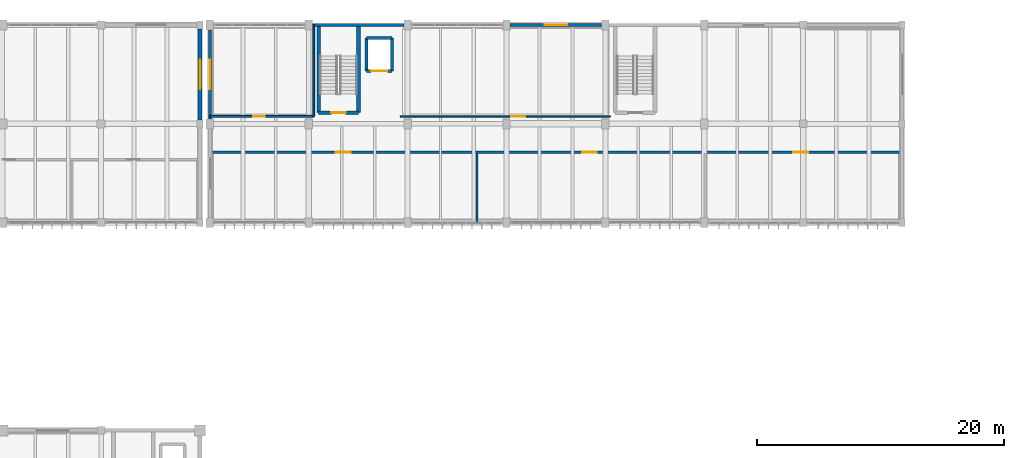
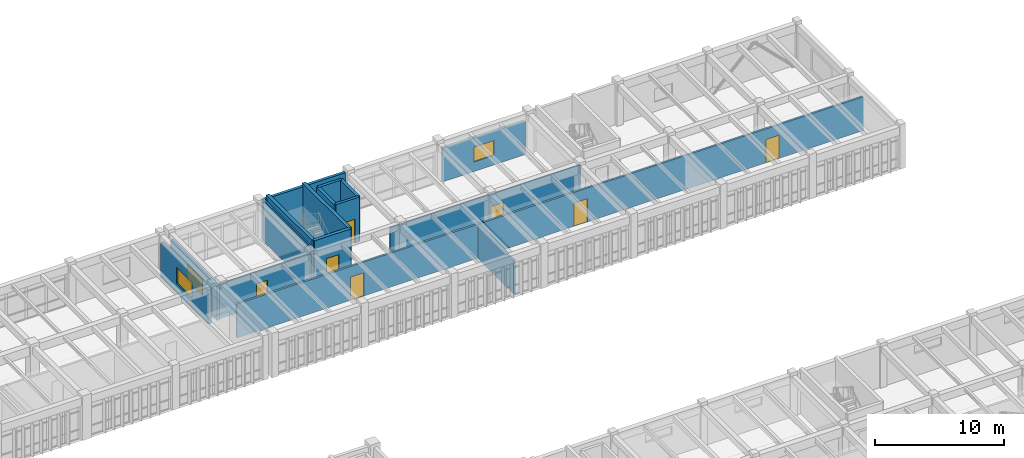
# One storey, part 49 of 67: 16 walls, 7 doors, 3 windows, 10 openings.
"""IFC4 building model written with IfcOpenShell, lengths in metres."""

from ifc_helpers import new_model, si_unit, direction, frame, frame_2d, origin, place, context, subcontext, project, spatial, rectangle, extrude, material, layer, layer_set, type_object, element, fill, save


model = new_model("IFC4")

# Units and contexts
model_context = context("Model", 3, precision=1e-05, world=origin(), true_north=direction((0.0, 1.0)))
body_context = subcontext(model_context, "Body", "Model", "MODEL_VIEW")
ifc_project = project(units=[si_unit("LENGTHUNIT", "METRE"), si_unit("AREAUNIT", "SQUARE_METRE"), si_unit("VOLUMEUNIT", "CUBIC_METRE"), si_unit("PLANEANGLEUNIT", "RADIAN"), si_unit("MASSUNIT", "GRAM", prefix="KILO")], contexts=[model_context])

# Site, building, storey
site_placement = place(None, origin())
site = spatial("IfcSite", under=ifc_project, at=site_placement, CompositionType="ELEMENT")
building_placement = place(site_placement, origin())
building = spatial("IfcBuilding", under=site, at=building_placement, Name="Tlaxcora Railside Police Headquarters", CompositionType="ELEMENT")
storey_placement = place(building_placement, frame((0.0, 0.0, 4.800048828125)))
storey = spatial("IfcBuildingStorey", under=building, at=storey_placement, Name="L01", CompositionType="ELEMENT", Elevation=4.800048828125)

# Wall
ifc_material_1 = material(Name="Gypsum acoustic partition board")
ifc_layer_1 = layer(ifc_material_1, 0.175048828125, Name="Gypsum acoustic partition board")
ifc_layer_set_1 = layer_set([ifc_layer_1], Name="Gypsum acoustic partition board")
wall_type_1 = type_object("IfcWallType", Name="Interior Partition Wall IW-22", PredefinedType="PARTITIONING", material=ifc_layer_set_1)
wall_1_placement = place(storey_placement, frame((124.407958984375, 76.8798828125, 0.0), z_axis=(0.0, 0.0, 1.0), x_axis=(0.0, 1.0, 0.0)))
element("IfcWall", 1, at=wall_1_placement, inside=storey, type_object=wall_type_1, Name="V6 L01 interior partition 99", PredefinedType="PARTITIONING", context=body_context, shape_type="SweptSolid", body=[
    extrude(rectangle(XDim=5.52001953125, YDim=0.175048828125, at=frame_2d((2.760009765625, 0.0))), origin(), (0.0, 0.0, 1.0), 3.14501953125),
])

# Wall, openings, doors
wall_2_placement = place(storey_placement, frame((102.8798828125, 82.5, 0.0), z_axis=(0.0, 0.0, 1.0), x_axis=(1.0, 0.0, 0.0)))
wall_2 = element("IfcWall", 2, at=wall_2_placement, inside=storey, type_object=wall_type_1, Name="V6 L01 interior partition 101", PredefinedType="PARTITIONING", context=body_context, shape_type="SweptSolid", body=[
    extrude(rectangle(XDim=55.840087890625, YDim=0.175048828125, at=frame_2d((27.919921875, 0.0))), origin(), (0.0, 0.0, 1.0), 3.195068359375),
])
opening_1_placement = place(wall_2_placement, frame((10.110107421875, 0.0, 0.0)))
opening_1 = element("IfcOpeningElement", 3, at=opening_1_placement, cuts=wall_2, Name="Opening D-L01-140", PredefinedType="OPENING", context=body_context, shape_type="SweptSolid", body=[
    extrude(rectangle(XDim=1.199951171875, YDim=2.199951171875, at=frame_2d((0.60009765625, 1.10009765625))), frame((0.0, 0.09765625, 0.0), z_axis=(0.0, -1.0, 0.0), x_axis=(1.0, 0.0, 0.0)), (0.0, 0.0, 1.0), 0.195068359375),
])
opening_2_placement = place(wall_2_placement, frame((30.0400390625, 0.0, 0.0)))
opening_2 = element("IfcOpeningElement", 4, at=opening_2_placement, cuts=wall_2, Name="Opening D-L01-141", PredefinedType="OPENING", context=body_context, shape_type="SweptSolid", body=[
    extrude(rectangle(XDim=1.199951171875, YDim=2.199951171875, at=frame_2d((0.60009765625, 1.10009765625))), frame((0.0, 0.09765625, 0.0), z_axis=(0.0, -1.0, 0.0), x_axis=(1.0, 0.0, 0.0)), (0.0, 0.0, 1.0), 0.195068359375),
])
opening_3_placement = place(wall_2_placement, frame((47.1298828125, 0.0, 0.0)))
opening_3 = element("IfcOpeningElement", 5, at=opening_3_placement, cuts=wall_2, Name="Opening D-L01-142", PredefinedType="OPENING", context=body_context, shape_type="SweptSolid", body=[
    extrude(rectangle(XDim=1.199951171875, YDim=2.199951171875, at=frame_2d((0.60009765625, 1.10009765625))), frame((0.0, 0.09765625, 0.0), z_axis=(0.0, -1.0, 0.0), x_axis=(1.0, 0.0, 0.0)), (0.0, 0.0, 1.0), 0.195068359375),
])
ifc_material_2 = material(Name="Steel ASTM A992 Grade 50", Category="steel")
door_type_1 = type_object("IfcDoorType", Name="Swing or Sliding Personnel Door ID-65", OperationType="NOTDEFINED", PredefinedType="DOOR", material=ifc_material_2)
door_1_placement = place(opening_1_placement, origin())
door_1 = element("IfcDoor", 6, at=door_1_placement, inside=storey, type_object=door_type_1, Name="V6 L01 door D-L01-140", OperationType="DOUBLE_DOOR_SINGLE_SWING", OverallHeight=2.199951171875, OverallWidth=1.199951171875, PredefinedType="DOOR", context=body_context, shape_type="SweptSolid", body=[
    extrude(rectangle(XDim=1.199951171875, YDim=2.199951171875, at=frame_2d((0.60009765625, 1.10009765625))), frame((0.0, 0.02490234375, 0.0), z_axis=(0.0, -1.0, 0.0), x_axis=(1.0, 0.0, 0.0)), (0.0, 0.0, 1.0), 0.050048828125),
])
fill(opening_1, door_1)
door_2_placement = place(opening_2_placement, origin())
door_2 = element("IfcDoor", 7, at=door_2_placement, inside=storey, type_object=door_type_1, Name="V6 L01 door D-L01-141", OperationType="DOUBLE_DOOR_SINGLE_SWING", OverallHeight=2.199951171875, OverallWidth=1.199951171875, PredefinedType="DOOR", context=body_context, shape_type="SweptSolid", body=[
    extrude(rectangle(XDim=1.199951171875, YDim=2.199951171875, at=frame_2d((0.60009765625, 1.10009765625))), frame((0.0, 0.02490234375, 0.0), z_axis=(0.0, -1.0, 0.0), x_axis=(1.0, 0.0, 0.0)), (0.0, 0.0, 1.0), 0.050048828125),
])
fill(opening_2, door_2)
door_3_placement = place(opening_3_placement, origin())
door_3 = element("IfcDoor", 8, at=door_3_placement, inside=storey, type_object=door_type_1, Name="V6 L01 door D-L01-142", OperationType="DOUBLE_DOOR_SINGLE_SWING", OverallHeight=2.199951171875, OverallWidth=1.199951171875, PredefinedType="DOOR", context=body_context, shape_type="SweptSolid", body=[
    extrude(rectangle(XDim=1.199951171875, YDim=2.199951171875, at=frame_2d((0.60009765625, 1.10009765625))), frame((0.0, 0.02490234375, 0.0), z_axis=(0.0, -1.0, 0.0), x_axis=(1.0, 0.0, 0.0)), (0.0, 0.0, 1.0), 0.050048828125),
])
fill(opening_3, door_3)

# Wall, opening, door
ifc_layer_2 = layer(ifc_material_1, 0.1298828125, Name="Gypsum acoustic partition board")
ifc_layer_set_2 = layer_set([ifc_layer_2], Name="Gypsum acoustic partition board")
wall_type_2 = type_object("IfcWallType", Name="Interior Partition Wall IW-40", PredefinedType="PARTITIONING", material=ifc_layer_set_2)
wall_3_placement = place(storey_placement, frame((118.199951171875, 85.39990234375, 0.0), z_axis=(0.0, 0.0, 1.0), x_axis=(1.0, 0.0, 0.0)))
wall_3 = element("IfcWall", 9, at=wall_3_placement, inside=storey, type_object=wall_type_2, Name="V6 L01 interior partition 104", PredefinedType="PARTITIONING", context=body_context, shape_type="SweptSolid", body=[
    extrude(rectangle(XDim=17.0, YDim=0.1298828125, at=frame_2d((8.5, 0.0))), origin(), (0.0, 0.0, 1.0), 3.244873046875),
])
opening_4_placement = place(wall_3_placement, frame((9.0, 0.0, 0.0)))
opening_4 = element("IfcOpeningElement", 10, at=opening_4_placement, cuts=wall_3, Name="Opening D-L01-144", PredefinedType="OPENING", context=body_context, shape_type="SweptSolid", body=[
    extrude(rectangle(XDim=1.10009765625, YDim=2.10009765625, at=frame_2d((0.550048828125, 1.050048828125))), frame((0.0, 0.074951171875, 0.0), z_axis=(0.0, -1.0, 0.0), x_axis=(1.0, 0.0, 0.0)), (0.0, 0.0, 1.0), 0.14990234375),
])
door_type_2 = type_object("IfcDoorType", Name="Swing or Sliding Personnel Door ID-66", OperationType="NOTDEFINED", PredefinedType="DOOR", material=ifc_material_2)
door_4_placement = place(opening_4_placement, origin())
door_4 = element("IfcDoor", 11, at=door_4_placement, inside=storey, type_object=door_type_2, Name="V6 L01 door D-L01-144", OperationType="SINGLE_SWING_RIGHT", OverallHeight=2.10009765625, OverallWidth=1.10009765625, PredefinedType="DOOR", context=body_context, shape_type="SweptSolid", body=[
    extrude(rectangle(XDim=1.10009765625, YDim=2.10009765625, at=frame_2d((0.550048828125, 1.050048828125))), frame((0.0, 0.02490234375, 0.0), z_axis=(0.0, -1.0, 0.0), x_axis=(1.0, 0.0, 0.0)), (0.0, 0.0, 1.0), 0.050048828125),
])
fill(opening_4, door_4)

# Wall
ifc_layer_3 = layer(ifc_material_1, 0.139892578125, Name="Gypsum acoustic partition board")
ifc_layer_set_3 = layer_set([ifc_layer_3], Name="Gypsum acoustic partition board")
wall_type_3 = type_object("IfcWallType", Name="Interior Partition Wall IW-86", PredefinedType="PARTITIONING", material=ifc_layer_set_3)
wall_4_placement = place(storey_placement, frame((111.199951171875, 85.39990234375, 0.0), z_axis=(0.0, 0.0, 1.0), x_axis=(0.0, 1.0, 0.0)))
element("IfcWall", 12, at=wall_4_placement, inside=storey, type_object=wall_type_3, Name="V6 L01 interior partition 103", PredefinedType="PARTITIONING", context=body_context, shape_type="SweptSolid", body=[
    extrude(rectangle(XDim=7.400146484375, YDim=0.139892578125, at=frame_2d((3.7001953125, 0.0))), origin(), (0.0, 0.0, 1.0), 3.909912109375),
])

# Wall, opening, door
ifc_layer_4 = layer(ifc_material_1, 0.14990234375, Name="Gypsum acoustic partition board")
ifc_layer_set_4 = layer_set([ifc_layer_4], Name="Gypsum acoustic partition board")
wall_type_4 = type_object("IfcWallType", Name="Interior Partition Wall IW-91", PredefinedType="PARTITIONING", material=ifc_layer_set_4)
wall_5_placement = place(storey_placement, frame((102.800048828125, 85.39990234375, 0.0), z_axis=(0.0, 0.0, 1.0), x_axis=(1.0, 0.0, 0.0)))
wall_5 = element("IfcWall", 13, at=wall_5_placement, inside=storey, type_object=wall_type_4, Name="V6 L01 interior partition 102", PredefinedType="PARTITIONING", context=body_context, shape_type="SweptSolid", body=[
    extrude(rectangle(XDim=8.39990234375, YDim=0.14990234375, at=frame_2d((4.199951171875, 0.0))), origin(), (0.0, 0.0, 1.0), 3.244873046875),
])
opening_5_placement = place(wall_5_placement, frame((3.5, 0.0, 0.0)))
opening_5 = element("IfcOpeningElement", 14, at=opening_5_placement, cuts=wall_5, Name="Opening D-L01-143", PredefinedType="OPENING", context=body_context, shape_type="SweptSolid", body=[
    extrude(rectangle(XDim=0.949951171875, YDim=2.14990234375, at=frame_2d((0.47509765625, 1.074951171875))), frame((0.0, 0.0849609375, 0.0), z_axis=(0.0, -1.0, 0.0), x_axis=(1.0, 0.0, 0.0)), (0.0, 0.0, 1.0), 0.169921875),
])
door_type_3 = type_object("IfcDoorType", Name="Swing or Sliding Personnel Door ID-31", OperationType="NOTDEFINED", PredefinedType="DOOR", material=ifc_material_2)
door_5_placement = place(opening_5_placement, origin())
door_5 = element("IfcDoor", 15, at=door_5_placement, inside=storey, type_object=door_type_3, Name="V6 L01 door D-L01-143", OperationType="SINGLE_SWING_LEFT", OverallHeight=2.14990234375, OverallWidth=0.949951171875, PredefinedType="DOOR", context=body_context, shape_type="SweptSolid", body=[
    extrude(rectangle(XDim=0.949951171875, YDim=2.14990234375, at=frame_2d((0.47509765625, 1.074951171875))), frame((0.0, 0.02490234375, 0.0), z_axis=(0.0, -1.0, 0.0), x_axis=(1.0, 0.0, 0.0)), (0.0, 0.0, 1.0), 0.050048828125),
])
fill(opening_5, door_5)

ifc_material_3 = material(Name="Concrete C40/50", Category="concrete")
ifc_layer_5 = layer(ifc_material_3, 0.25, Name="Concrete C40/50")
ifc_layer_set_5 = layer_set([ifc_layer_5], Name="Concrete C40/50")
wall_type_5 = type_object("IfcWallType", Name="Shear Core Wall IW-13", PredefinedType="SHEAR", material=ifc_layer_set_5)
wall_6_placement = place(storey_placement, frame((115.4599609375, 89.06005859375, 0.0), z_axis=(0.0, 0.0, 1.0), x_axis=(1.0, 0.0, 0.0)))
wall_6 = element("IfcWall", 16, at=wall_6_placement, inside=storey, type_object=wall_type_5, Name="Lift GL-01 L01 shaft wall S", PredefinedType="SHEAR", context=body_context, shape_type="SweptSolid", body=[
    extrude(rectangle(XDim=2.080078125, YDim=0.25, at=frame_2d((1.0400390625, 0.0))), origin(), (0.0, 0.0, 1.0), 4.199951171875),
])
opening_6_placement = place(wall_6_placement, frame((0.389892578125, 0.0, 0.0)))
opening_6 = element("IfcOpeningElement", 17, at=opening_6_placement, cuts=wall_6, Name="Opening LD-GL-01-L01", PredefinedType="OPENING", context=body_context, shape_type="SweptSolid", body=[
    extrude(rectangle(XDim=1.300048828125, YDim=2.25, at=frame_2d((0.64990234375, 1.125))), frame((0.0, 0.135009765625, 0.0), z_axis=(0.0, -1.0, 0.0), x_axis=(1.0, 0.0, 0.0)), (0.0, 0.0, 1.0), 0.27001953125),
])
door_type_4 = type_object("IfcDoorType", Name="Swing or Sliding Personnel Door ID-72", OperationType="NOTDEFINED", PredefinedType="DOOR", material=ifc_material_2)
door_6_placement = place(opening_6_placement, origin())
door_6 = element("IfcDoor", 18, at=door_6_placement, inside=storey, type_object=door_type_4, Name="Lift GL-01 L01 sliding landing door", OperationType="DOUBLE_DOOR_SLIDING", OverallHeight=2.25, OverallWidth=1.300048828125, PredefinedType="DOOR", context=body_context, shape_type="SweptSolid", body=[
    extrude(rectangle(XDim=1.300048828125, YDim=2.25, at=frame_2d((0.64990234375, 1.125))), frame((0.0, 0.02490234375, 0.0), z_axis=(0.0, -1.0, 0.0), x_axis=(1.0, 0.0, 0.0)), (0.0, 0.0, 1.0), 0.050048828125),
])
fill(opening_6, door_6)

# Walls
wall_7_placement = place(storey_placement, frame((117.5400390625, 89.06005859375, 0.0), z_axis=(0.0, 0.0, 1.0), x_axis=(0.0, 1.0, 0.0)))
element("IfcWall", 19, at=wall_7_placement, inside=storey, type_object=wall_type_5, Name="Lift GL-01 L01 shaft wall E", PredefinedType="SHEAR", context=body_context, shape_type="SweptSolid", body=[
    extrude(rectangle(XDim=2.679931640625, YDim=0.25, at=frame_2d((1.33984375, 0.0))), origin(), (0.0, 0.0, 1.0), 4.199951171875),
])
wall_8_placement = place(storey_placement, frame((117.5400390625, 91.739990234375, 0.0), z_axis=(0.0, 0.0, 1.0), x_axis=(-1.0, 0.0, 0.0)))
element("IfcWall", 20, at=wall_8_placement, inside=storey, type_object=wall_type_5, Name="Lift GL-01 L01 shaft wall N", PredefinedType="SHEAR", context=body_context, shape_type="SweptSolid", body=[
    extrude(rectangle(XDim=2.080078125, YDim=0.25, at=frame_2d((1.0400390625, 0.0))), origin(), (0.0, 0.0, 1.0), 4.199951171875),
])
wall_9_placement = place(storey_placement, frame((115.4599609375, 91.739990234375, 0.0), z_axis=(0.0, 0.0, 1.0), x_axis=(0.0, -1.0, 0.0)))
element("IfcWall", 21, at=wall_9_placement, inside=storey, type_object=wall_type_5, Name="Lift GL-01 L01 shaft wall W", PredefinedType="SHEAR", context=body_context, shape_type="SweptSolid", body=[
    extrude(rectangle(XDim=2.679931640625, YDim=0.25, at=frame_2d((1.33984375, 0.0))), origin(), (0.0, 0.0, 1.0), 4.199951171875),
])

# Wall, opening, door
ifc_layer_6 = layer(ifc_material_3, 0.300048828125, Name="Concrete C40/50")
ifc_layer_set_6 = layer_set([ifc_layer_6], Name="Concrete C40/50")
wall_type_6 = type_object("IfcWallType", Name="Shear Core Wall IW-28", PredefinedType="SHEAR", material=ifc_layer_set_6)
wall_10_placement = place(storey_placement, frame((111.60009765625, 85.699951171875, 0.0), z_axis=(0.0, 0.0, 1.0), x_axis=(1.0, 0.0, 0.0)))
wall_10 = element("IfcWall", 22, at=wall_10_placement, inside=storey, type_object=wall_type_6, Name="CORE-C3 L01 stair core wall S", PredefinedType="SHEAR", context=body_context, shape_type="SweptSolid", body=[
    extrude(rectangle(XDim=3.219970703125, YDim=0.300048828125, at=frame_2d((1.60986328125, 0.0))), origin(), (0.0, 0.0, 1.0), 4.199951171875),
])
opening_7_placement = place(wall_10_placement, frame((1.034912109375, 0.0, 0.0)))
opening_7 = element("IfcOpeningElement", 23, at=opening_7_placement, cuts=wall_10, Name="Opening SD-L01-021", PredefinedType="OPENING", context=body_context, shape_type="SweptSolid", body=[
    extrude(rectangle(XDim=1.14990234375, YDim=2.14990234375, at=frame_2d((0.574951171875, 1.074951171875))), frame((0.0, 0.16015625, 0.0), z_axis=(0.0, -1.0, 0.0), x_axis=(1.0, 0.0, 0.0)), (0.0, 0.0, 1.0), 0.320068359375),
])
door_type_5 = type_object("IfcDoorType", Name="Swing or Sliding Personnel Door ID-73", OperationType="NOTDEFINED", PredefinedType="DOOR", material=ifc_material_2)
door_7_placement = place(opening_7_placement, origin())
door_7 = element("IfcDoor", 24, at=door_7_placement, inside=storey, type_object=door_type_5, Name="Stair ST3 L01 enclosure fire door", OperationType="SINGLE_SWING_LEFT", OverallHeight=2.14990234375, OverallWidth=1.14990234375, PredefinedType="DOOR", context=body_context, shape_type="SweptSolid", body=[
    extrude(rectangle(XDim=1.14990234375, YDim=2.14990234375, at=frame_2d((0.574951171875, 1.074951171875))), frame((0.0, 0.02490234375, 0.0), z_axis=(0.0, -1.0, 0.0), x_axis=(1.0, 0.0, 0.0)), (0.0, 0.0, 1.0), 0.050048828125),
])
fill(opening_7, door_7)

# Walls
for number, where, z_axis, x_axis, name in (
    (25, (114.820068359375, 85.699951171875, 0.0), (0.0, 0.0, 1.0), (0.0, 1.0, 0.0), "CORE-C3 L01 stair core wall E"),
    (26, (111.60009765625, 92.800048828125, 0.0), (0.0, 0.0, 1.0), (0.0, -1.0, 0.0), "CORE-C3 L01 stair core wall W"),
):
    element("IfcWall", number, at=place(storey_placement, frame(where, z_axis=z_axis, x_axis=x_axis)), inside=storey, type_object=wall_type_6, Name=name, PredefinedType="SHEAR", context=body_context, shape_type="SweptSolid", body=[
        extrude(rectangle(XDim=7.10009765625, YDim=0.300048828125, at=frame_2d((3.550048828125, 0.0))), origin(), (0.0, 0.0, 1.0), 4.199951171875),
    ])

# Wall, opening, window
ifc_material_4 = material(Name="Pressed clay brick masonry", Category="masonry")
ifc_layer_7 = layer(ifc_material_4, 0.294921875, Name="Pressed clay brick masonry")
ifc_layer_set_7 = layer_set([ifc_layer_7], Name="Pressed clay brick masonry")
wall_type_7 = type_object("IfcWallType", Name="Structural Bearing Wall EW-74", PredefinedType="SOLIDWALL", material=ifc_layer_set_7)
wall_11_placement = place(storey_placement, frame((102.0, 85.125, 0.0), z_axis=(0.0, 0.0, 1.0), x_axis=(0.0, 1.0, 0.0)))
wall_11 = element("IfcWall", 27, at=wall_11_placement, inside=storey, type_object=wall_type_7, Name="V5 L01 exterior wall 3.1", PredefinedType="SOLIDWALL", context=body_context, shape_type="SweptSolid", body=[
    extrude(rectangle(XDim=7.35009765625, YDim=0.294921875, at=frame_2d((3.675048828125, 0.0))), origin(), (0.0, 0.0, 1.0), 3.260009765625),
])
opening_8_placement = place(wall_11_placement, frame((2.47509765625, 0.0, 0.89990234375)))
opening_8 = element("IfcOpeningElement", 28, at=opening_8_placement, cuts=wall_11, Name="Opening WN-59", PredefinedType="OPENING", context=body_context, shape_type="SweptSolid", body=[
    extrude(rectangle(XDim=2.39990234375, YDim=1.5, at=frame_2d((1.199951171875, 0.75))), frame((0.0, 0.157470703125, 0.0), z_axis=(0.0, -1.0, 0.0), x_axis=(1.0, 0.0, 0.0)), (0.0, 0.0, 1.0), 0.31494140625),
])
ifc_material_5 = material(Name="Thermally broken low-E insulated glazing", Category="glass")
window_type_1 = type_object("IfcWindowType", Name="Exterior Framed or Circular Window WN-59", PartitioningType="SINGLE_PANEL", PredefinedType="WINDOW", material=ifc_material_5)
window_1_placement = place(opening_8_placement, origin())
window_1 = element("IfcWindow", 29, at=window_1_placement, inside=storey, type_object=window_type_1, Name="V5 L01 window 118", OverallHeight=1.5, OverallWidth=2.39990234375, PartitioningType="SINGLE_PANEL", PredefinedType="WINDOW", context=body_context, shape_type="SweptSolid", body=[
    extrude(rectangle(XDim=2.39990234375, YDim=1.5, at=frame_2d((1.199951171875, 0.75))), frame((0.0, 0.030029296875, 0.0), z_axis=(0.0, -1.0, 0.0), x_axis=(1.0, 0.0, 0.0)), (0.0, 0.0, 1.0), 0.06005859375),
])
fill(opening_8, window_1)

ifc_material_6 = material(Name="Precast concrete C40/50", Category="concrete")
ifc_layer_8 = layer(ifc_material_6, 0.2451171875, Name="Precast concrete C40/50")
ifc_layer_set_8 = layer_set([ifc_layer_8], Name="Precast concrete C40/50")
wall_type_8 = type_object("IfcWallType", Name="Structural Bearing Wall EW-94", PredefinedType="SOLIDWALL", material=ifc_layer_set_8)
wall_12_placement = place(storey_placement, frame((134.5, 92.800048828125, 0.0), z_axis=(0.0, 0.0, 1.0), x_axis=(-1.0, 0.0, 0.0)))
wall_12 = element("IfcWall", 30, at=wall_12_placement, inside=storey, type_object=wall_type_8, Name="V6 L01 exterior wall 2.3", PredefinedType="SOLIDWALL", context=body_context, shape_type="SweptSolid", body=[
    extrude(rectangle(XDim=7.39990234375, YDim=0.2451171875, at=frame_2d((3.699951171875, 0.0))), origin(), (0.0, 0.0, 1.0), 3.159912109375),
])
opening_9_placement = place(wall_12_placement, frame((2.800048828125, 0.0, 0.89990234375)))
opening_9 = element("IfcOpeningElement", 31, at=opening_9_placement, cuts=wall_12, Name="Opening WN-70", PredefinedType="OPENING", context=body_context, shape_type="SweptSolid", body=[
    extrude(rectangle(XDim=1.800048828125, YDim=1.39990234375, at=frame_2d((0.89990234375, 0.699951171875))), frame((0.0, 0.132568359375, 0.0), z_axis=(0.0, -1.0, 0.0), x_axis=(1.0, 0.0, 0.0)), (0.0, 0.0, 1.0), 0.26513671875),
])
window_type_2 = type_object("IfcWindowType", Name="Exterior Framed or Circular Window WN-70", PartitioningType="SINGLE_PANEL", PredefinedType="WINDOW", material=ifc_material_5)
window_2_placement = place(opening_9_placement, origin())
window_2 = element("IfcWindow", 32, at=window_2_placement, inside=storey, type_object=window_type_2, Name="V6 L01 window 171", OverallHeight=1.39990234375, OverallWidth=1.800048828125, PartitioningType="SINGLE_PANEL", PredefinedType="WINDOW", context=body_context, shape_type="SweptSolid", body=[
    extrude(rectangle(XDim=1.800048828125, YDim=1.39990234375, at=frame_2d((0.89990234375, 0.699951171875))), frame((0.0, 0.030029296875, 0.0), z_axis=(0.0, -1.0, 0.0), x_axis=(1.0, 0.0, 0.0)), (0.0, 0.0, 1.0), 0.06005859375),
])
fill(opening_9, window_2)

# Wall
wall_13_placement = place(storey_placement, frame((118.5, 92.800048828125, 0.0), z_axis=(0.0, 0.0, 1.0), x_axis=(-1.0, 0.0, 0.0)))
element("IfcWall", 33, at=wall_13_placement, inside=storey, type_object=wall_type_8, Name="V6 L01 exterior wall 2.5", PredefinedType="SOLIDWALL", context=body_context, shape_type="SweptSolid", body=[
    extrude(rectangle(XDim=7.39990234375, YDim=0.2451171875, at=frame_2d((3.699951171875, 0.0))), origin(), (0.0, 0.0, 1.0), 3.909912109375),
])

# Wall, opening, window
wall_14_placement = place(storey_placement, frame((102.800048828125, 92.39990234375, 0.0), z_axis=(0.0, 0.0, 1.0), x_axis=(0.0, -1.0, 0.0)))
wall_14 = element("IfcWall", 34, at=wall_14_placement, inside=storey, type_object=wall_type_8, Name="V6 L01 exterior wall 3.0", PredefinedType="SOLIDWALL", context=body_context, shape_type="SweptSolid", body=[
    extrude(rectangle(XDim=7.199951171875, YDim=0.2451171875, at=frame_2d((3.60009765625, 0.0))), origin(), (0.0, 0.0, 1.0), 3.260009765625),
])
opening_10_placement = place(wall_14_placement, frame((2.39990234375, 0.0, 0.89990234375)))
opening_10 = element("IfcOpeningElement", 35, at=opening_10_placement, cuts=wall_14, Name="Opening WN-59", PredefinedType="OPENING", context=body_context, shape_type="SweptSolid", body=[
    extrude(rectangle(XDim=2.39990234375, YDim=1.5, at=frame_2d((1.199951171875, 0.75))), frame((0.0, 0.132568359375, 0.0), z_axis=(0.0, -1.0, 0.0), x_axis=(1.0, 0.0, 0.0)), (0.0, 0.0, 1.0), 0.26513671875),
])
window_3_placement = place(opening_10_placement, origin())
window_3 = element("IfcWindow", 36, at=window_3_placement, inside=storey, type_object=window_type_1, Name="V6 L01 window 172", OverallHeight=1.5, OverallWidth=2.39990234375, PartitioningType="SINGLE_PANEL", PredefinedType="WINDOW", context=body_context, shape_type="SweptSolid", body=[
    extrude(rectangle(XDim=2.39990234375, YDim=1.5, at=frame_2d((1.199951171875, 0.75))), frame((0.0, 0.030029296875, 0.0), z_axis=(0.0, -1.0, 0.0), x_axis=(1.0, 0.0, 0.0)), (0.0, 0.0, 1.0), 0.06005859375),
])
fill(opening_10, window_3)

save(model, "model.ifc")
